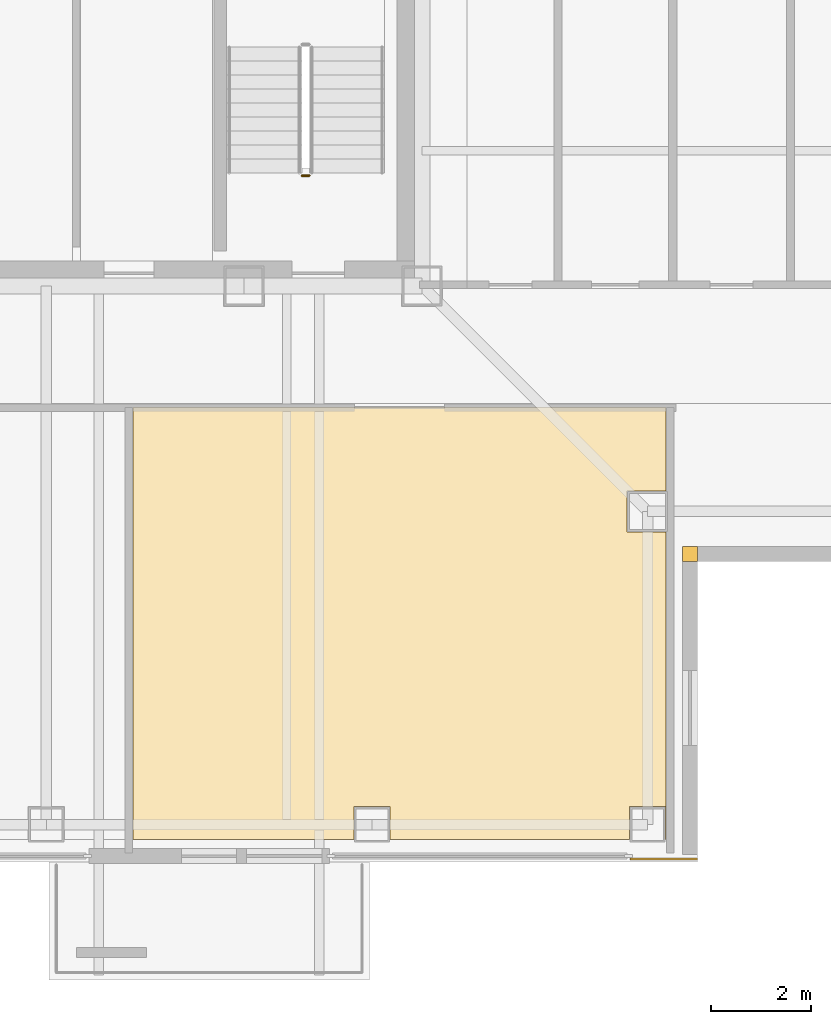
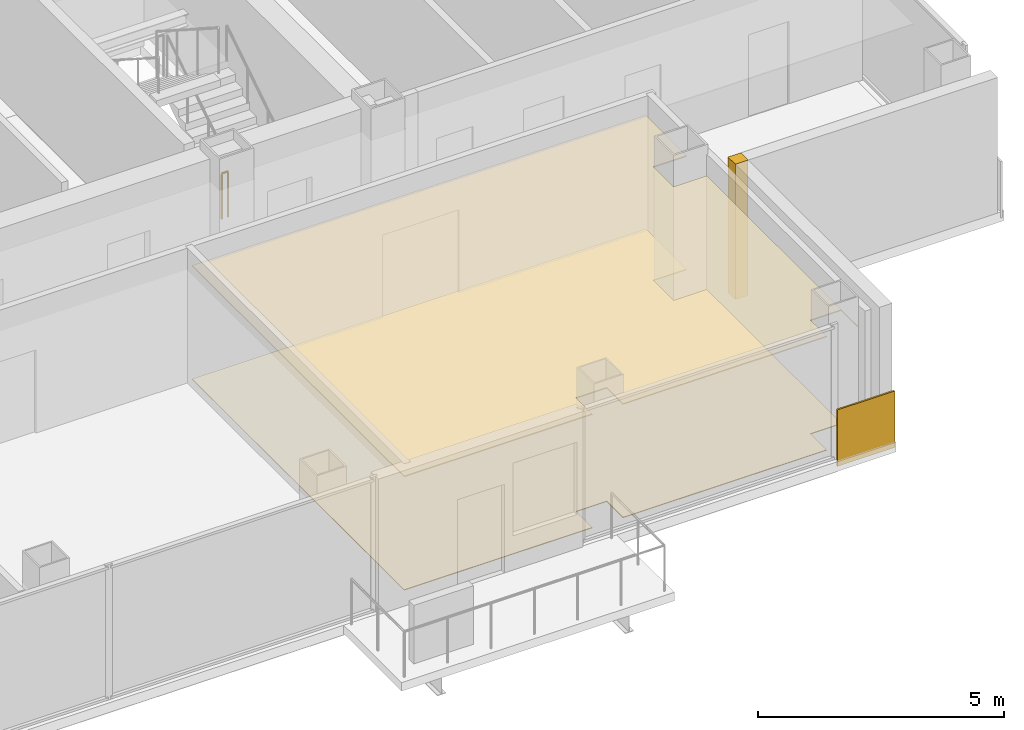
# One storey, part 11 of 15: 4 coverings, 1 railing.
"""IFC4 building model written with IfcOpenShell, lengths in metres."""

from ifc_helpers import new_model, si_unit, direction, frame, frame_2d, origin, origin_2d, place, context, subcontext, project, spatial, polyline, rectangle, circle, outline, extrude, material, layer, layer_set, type_object, element, save


model = new_model("IFC4")

# Units and contexts
model_context = context("Model", 3, precision=1e-05, world=origin(), true_north=direction((0.0, 1.0)))
body_context = subcontext(model_context, "Body", "Model", "MODEL_VIEW")
ifc_project = project(units=[si_unit("LENGTHUNIT", "METRE"), si_unit("AREAUNIT", "SQUARE_METRE"), si_unit("VOLUMEUNIT", "CUBIC_METRE"), si_unit("PLANEANGLEUNIT", "RADIAN"), si_unit("MASSUNIT", "GRAM", prefix="KILO")], contexts=[model_context])

# Site, building, storey
site_placement = place(None, origin())
site = spatial("IfcSite", under=ifc_project, at=site_placement, CompositionType="ELEMENT")
building_placement = place(site_placement, origin())
building = spatial("IfcBuilding", under=site, at=building_placement, Name="Trevonay Congress Spire", CompositionType="ELEMENT")
storey_placement = place(building_placement, frame((0.0, 0.0, 275.60009765625)))
storey = spatial("IfcBuildingStorey", under=building, at=storey_placement, Name="L72", CompositionType="ELEMENT", Elevation=275.60009765625)

# Coverings
ifc_material_1 = material(Name="Acoustic Mineral Fibre Board", Category="gypsum")
ifc_layer_1 = layer(ifc_material_1, 0.02490234375, Name="Acoustic Mineral Fibre Board")
ifc_layer_set_1 = layer_set([ifc_layer_1], Name="Acoustic Mineral Fibre Board")
covering_type_1 = type_object("IfcCoveringType", Name="COV-CEIL-ACOUSTIC", PredefinedType="CEILING", material=ifc_layer_set_1)
covering_1_placement = place(storey_placement, frame((0.0, 0.0, 2.809814453125)))
element("IfcCovering", 1, at=covering_1_placement, inside=storey, type_object=covering_type_1, Name="L72 LP Advisory Boardroom acoustic suspended ceiling", PredefinedType="CEILING", context=body_context, shape_type="SweptSolid", body=[
    extrude(outline(polyline([(1.72998046875, -18.550048828125), (1.72998046875, -9.929931640625), (12.3701171875, -9.929931640625), (12.3701171875, -11.590087890625), (11.590087890625, -11.590087890625), (11.590087890625, -12.409912109375), (12.3701171875, -12.409912109375), (12.3701171875, -18.550048828125), (12.360107421875, -18.550048828125), (12.360107421875, -17.889892578125), (11.639892578125, -17.889892578125), (11.639892578125, -18.550048828125), (6.860107421875, -18.550048828125), (6.860107421875, -17.889892578125), (6.139892578125, -17.889892578125), (6.139892578125, -18.550048828125), (1.72998046875, -18.550048828125)])), origin(), (0.0, 0.0, 1.0), 0.025146484375),
])
ifc_material_2 = material(Name="Engineered Oak Flooring", Category="wood")
ifc_layer_2 = layer(ifc_material_2, 0.01806640625, Name="Engineered Oak Flooring")
ifc_layer_set_2 = layer_set([ifc_layer_2], Name="Engineered Oak Flooring")
covering_type_2 = type_object("IfcCoveringType", Name="COV-FLOOR-TIMBER", PredefinedType="FLOORING", material=ifc_layer_set_2)
covering_2_placement = place(storey_placement, origin())
element("IfcCovering", 2, at=covering_2_placement, inside=storey, type_object=covering_type_2, Name="L72 LP Advisory Boardroom floor finish", PredefinedType="FLOORING", context=body_context, shape_type="SweptSolid", body=[
    extrude(outline(polyline([(1.72998046875, -18.550048828125), (1.72998046875, -9.929931640625), (12.3701171875, -9.929931640625), (12.3701171875, -11.590087890625), (11.590087890625, -11.590087890625), (11.590087890625, -12.409912109375), (12.3701171875, -12.409912109375), (12.3701171875, -18.550048828125), (12.360107421875, -18.550048828125), (12.360107421875, -17.889892578125), (11.639892578125, -17.889892578125), (11.639892578125, -18.550048828125), (6.860107421875, -18.550048828125), (6.860107421875, -17.889892578125), (6.139892578125, -17.889892578125), (6.139892578125, -18.550048828125), (1.72998046875, -18.550048828125)])), origin(), (0.0, 0.0, 1.0), 0.017822265625),
])
ifc_material_3 = material(Name="Pale Anodised Aluminium EN AW-6063-T6", Category="aluminium")
ifc_layer_3 = layer(ifc_material_3, 0.0400390625, Name="Pale Anodised Aluminium EN AW-6063-T6")
ifc_layer_set_3 = layer_set([ifc_layer_3], Name="Pale Anodised Aluminium EN AW-6063-T6")
covering_type_3 = type_object("IfcCoveringType", Name="COV-SPANDREL-PALE-METAL", PredefinedType="CLADDING", material=ifc_layer_set_3)
covering_3_placement = place(storey_placement, origin())
element("IfcCovering", 3, at=covering_3_placement, inside=storey, type_object=covering_type_3, Name="L72 SE re-entrant notch corner closure trim", PredefinedType="CLADDING", context=body_context, shape_type="SweptSolid", body=[
    extrude(outline(polyline([(12.699951171875, -13.0), (13.0, -13.0), (13.0, -12.699951171875), (12.699951171875, -12.699951171875), (12.699951171875, -13.0)])), origin(), (0.0, 0.0, 1.0), 3.35986328125),
])
covering_4_placement = place(storey_placement, frame((11.64990234375, -18.93994140625, -0.150146484375), z_axis=(0.0, 0.0, 1.0), x_axis=(1.0, 0.0, 0.0)))
element("IfcCovering", 4, at=covering_4_placement, inside=storey, type_object=covering_type_3, Name="L72 SE corner pier spandrel cladding 2", PredefinedType="CLADDING", context=body_context, shape_type="SweptSolid", body=[
    extrude(rectangle(XDim=1.35009765625, YDim=0.0400390625, at=frame_2d((0.675048828125, 0.0))), origin(), (0.0, 0.0, 1.0), 1.400146484375),
])

# Railing
railing_type = type_object("IfcRailingType", Name="RAL-STAIR-GUARD-110", PredefinedType="GUARDRAIL", material=ifc_material_3)
railing_placement = place(storey_placement, frame((5.25, -5.300048828125, 0.0)))
element("IfcRailing", 5, at=railing_placement, inside=storey, type_object=railing_type, Name="L72 ST-2 stair guard 4", PredefinedType="GUARDRAIL", context=body_context, shape_type="SweptSolid", body=[
    extrude(circle(Radius=0.02392578125, at=origin_2d()), frame((0.0, 0.0, 1.1259765625), z_axis=(-1.0, 0.0, 0.0), x_axis=(0.0, -1.0, 0.0)), (0.0, 0.0, 1.0), 0.14990234375),
    extrude(circle(Radius=0.02099609375, at=origin_2d()), origin(), (0.0, 0.0, 1.0), 1.101806640625),
    extrude(circle(Radius=0.02099609375, at=origin_2d()), frame((-0.14990234375, 0.0, 0.0)), (0.0, 0.0, 1.0), 1.101806640625),
])

save(model, "model.ifc")
